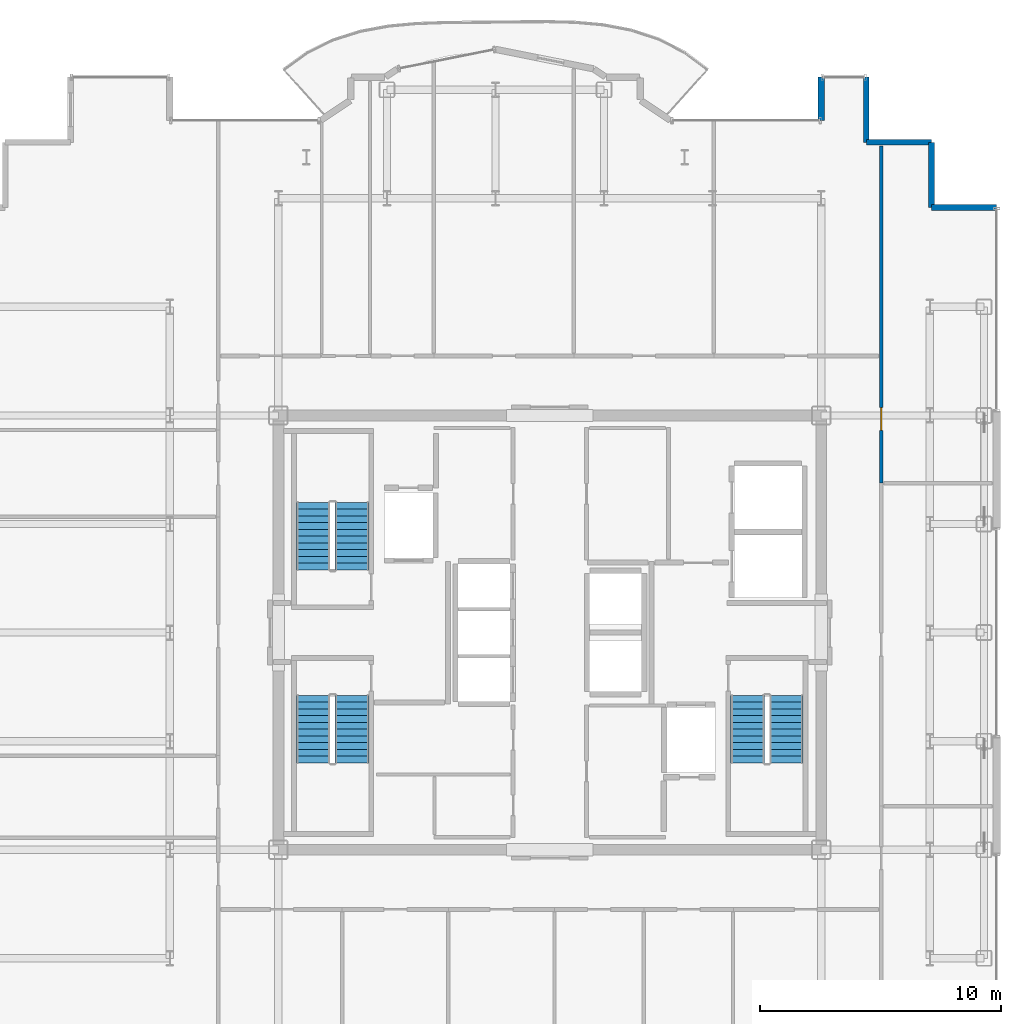
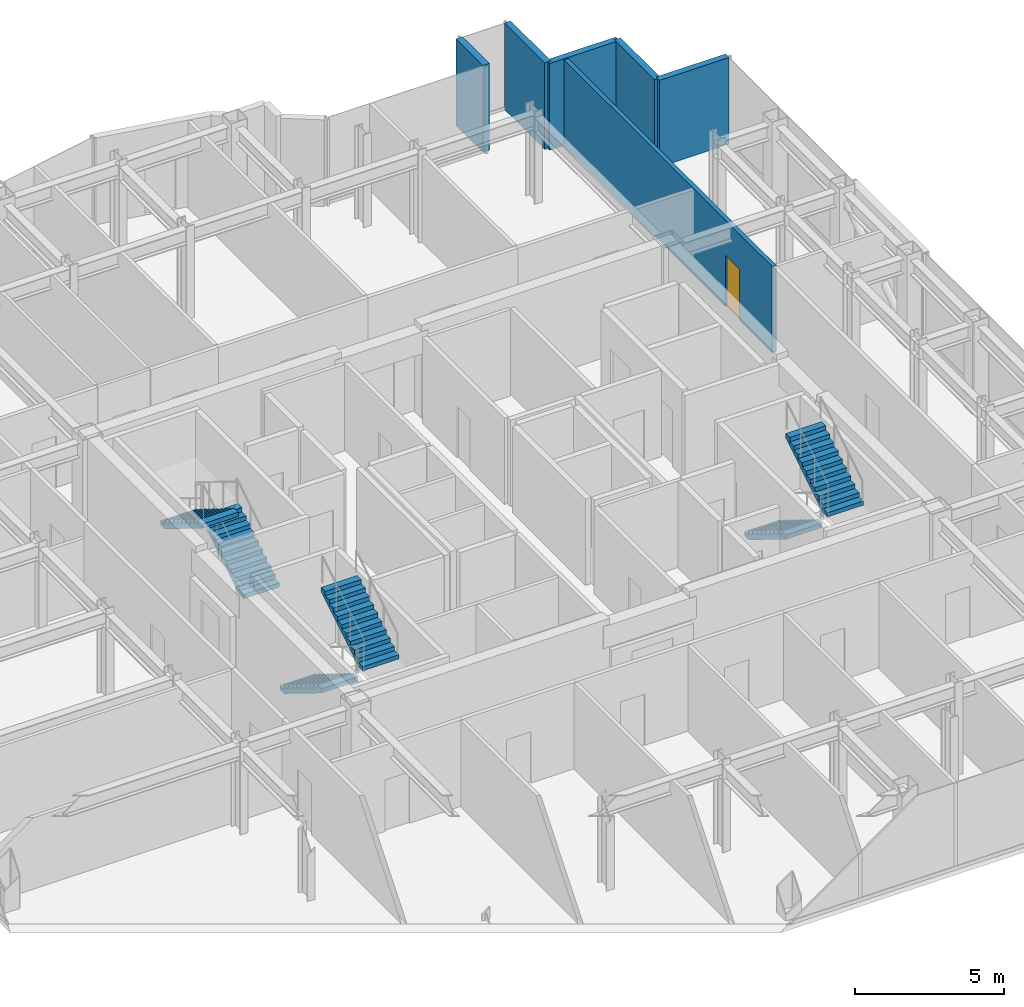
# One storey, part 15 of 16: 6 stair flights, 6 walls, 1 door, 1 opening, 3 elements without a shape of their own.
"""IFC4 building model written with IfcOpenShell, lengths in metres."""

from ifc_helpers import new_model, si_unit, direction, frame, frame_2d, origin, place, context, subcontext, project, spatial, polyline, rectangle, outline, extrude, source, transform, mapped, material, layer, layer_set, type_object, element, fill, aggregate, save


model = new_model("IFC4")

# Units and contexts
model_context = context("Model", 3, precision=1e-05, world=origin(), true_north=direction((0.0, 1.0)))
body_context = subcontext(model_context, "Body", "Model", "MODEL_VIEW")
ifc_project = project(units=[si_unit("LENGTHUNIT", "METRE"), si_unit("AREAUNIT", "SQUARE_METRE"), si_unit("VOLUMEUNIT", "CUBIC_METRE"), si_unit("PLANEANGLEUNIT", "RADIAN"), si_unit("MASSUNIT", "GRAM", prefix="KILO")], contexts=[model_context])

# Site, building, storey
site_placement = place(None, origin())
site = spatial("IfcSite", under=ifc_project, at=site_placement, CompositionType="ELEMENT")
building_placement = place(site_placement, origin())
building = spatial("IfcBuilding", under=site, at=building_placement, Name="Nefas-Gora Pilgrimage Tower", CompositionType="ELEMENT")
storey_placement = place(building_placement, frame((0.0, 0.0, 276.0)))
storey = spatial("IfcBuildingStorey", under=building, at=storey_placement, Name="L69", CompositionType="ELEMENT", Elevation=276.0)

# Walls
ifc_material_1 = material(Name="Precast concrete C40/50", Category="concrete")
ifc_layer_1 = layer(ifc_material_1, 0.260009765625)
ifc_layer_set_1 = layer_set([ifc_layer_1], Name="Precast concrete C40/50")
wall_type_1 = type_object("IfcWallType", Name="EW-PORTAL-260", PredefinedType="SOLIDWALL", material=ifc_layer_set_1)
shared_shape_1 = source(origin(), body_context, "Body", "SweptSolid", [
    extrude(rectangle(XDim=1.800048828125, YDim=0.260009765625, at=frame_2d((0.89990234375, 0.0))), origin(), (0.0, 0.0, 1.0), 3.550048828125),
])
wall_1_placement = place(storey_placement, frame((11.25, 23.02001953125, 0.0), z_axis=(0.0, 0.0, 1.0), x_axis=(0.0, -1.0, 0.0)))
element("IfcWall", 1, at=wall_1_placement, inside=storey, type_object=wall_type_1, Name="L69 Lobe Shoulder Precast Spandrel Pier 10", PredefinedType="SOLIDWALL", context=body_context, shape_type="MappedRepresentation", body=[
    mapped(shared_shape_1, transform((0.0, 0.0, 0.0), x_axis=(1.0, 0.0, 0.0), y_axis=(0.0, 1.0, 0.0), z_axis=(0.0, 0.0, 1.0), scale=1.0)),
])
ifc_material_2 = material(Name="Precast concrete C45/55", Category="concrete")
ifc_layer_2 = layer(ifc_material_2, 0.239990234375)
ifc_layer_set_2 = layer_set([ifc_layer_2], Name="Precast concrete C45/55")
wall_type_2 = type_object("IfcWallType", Name="EW-SERR-240", PredefinedType="SHEAR", material=ifc_layer_set_2)
shared_shape_2 = source(origin(), body_context, "Body", "SweptSolid", [
    extrude(rectangle(XDim=2.699951171875, YDim=0.239990234375, at=frame_2d((1.35009765625, 0.0))), origin(), (0.0, 0.0, 1.0), 3.550048828125),
])
for number, where, z_axis, x_axis, name in (
    (2, (18.52001953125, 17.6201171875, 0.0), (0.0, 0.0, 1.0), (-1.0, 0.0, 0.0), "L69 Serrated Corner Shear Pier Wall 6"),
    (3, (15.820068359375, 17.6201171875, 0.0), (0.0, 0.0, 1.0), (0.0, 1.0, 0.0), "L69 Serrated Corner Shear Pier Wall 7"),
    (4, (15.820068359375, 20.320068359375, 0.0), (0.0, 0.0, 1.0), (-1.0, 0.0, 0.0), "L69 Serrated Corner Shear Pier Wall 8"),
    (5, (13.1201171875, 20.320068359375, 0.0), (0.0, 0.0, 1.0), (0.0, 1.0, 0.0), "L69 Serrated Corner Shear Pier Wall 9"),
):
    element("IfcWall", number, at=place(storey_placement, frame(where, z_axis=z_axis, x_axis=x_axis)), inside=storey, type_object=wall_type_2, Name=name, PredefinedType="SHEAR", context=body_context, shape_type="MappedRepresentation", body=[
        mapped(shared_shape_2, transform((0.0, 0.0, 0.0), x_axis=(1.0, 0.0, 0.0), y_axis=(0.0, 1.0, 0.0), z_axis=(0.0, 0.0, 1.0), scale=1.0)),
    ])

# Wall, opening, door
ifc_material_3 = material(Name="Gypsum acoustic stud partition")
ifc_layer_3 = layer(ifc_material_3, 0.159912109375)
ifc_layer_set_3 = layer_set([ifc_layer_3], Name="Gypsum acoustic stud partition")
wall_type_3 = type_object("IfcWallType", Name="IW-CORR-160", PredefinedType="PARTITIONING", material=ifc_layer_set_3)
shared_shape_3 = source(origin(), body_context, "Body", "SweptSolid", [
    extrude(rectangle(XDim=13.96484375, YDim=0.159912109375, at=frame_2d((6.982421875, 0.0))), origin(), (0.0, 0.0, 1.0), 3.534912109375),
])
wall_2_placement = place(storey_placement, frame((13.739990234375, 6.195068359375, 0.0), z_axis=(0.0, 0.0, 1.0), x_axis=(0.0, 1.0, 0.0)))
wall_2 = element("IfcWall", 6, at=wall_2_placement, inside=storey, type_object=wall_type_3, Name="L69 Pilgrim Contemplative Lounge Partition Wall 46", PredefinedType="PARTITIONING", context=body_context, shape_type="MappedRepresentation", body=[
    mapped(shared_shape_3, transform((0.0, 0.0, 0.0), x_axis=(1.0, 0.0, 0.0), y_axis=(0.0, 1.0, 0.0), z_axis=(0.0, 0.0, 1.0), scale=1.0)),
])
opening_placement = place(wall_2_placement, frame((2.1826171875, 0.0, 0.0)))
opening = element("IfcOpeningElement", 7, at=opening_placement, cuts=wall_2, Name="Opening ID-GR1", PredefinedType="OPENING", context=body_context, shape_type="SweptSolid", body=[
    extrude(rectangle(XDim=0.949951171875, YDim=2.10009765625, at=frame_2d((0.47509765625, 1.050048828125))), frame((0.0, 0.08984375, 0.0), z_axis=(0.0, -1.0, 0.0), x_axis=(1.0, 0.0, 0.0)), (0.0, 0.0, 1.0), 0.179931640625),
])
ifc_material_4 = material(Name="Solid core oak fire-rated guest entrance door")
door_type = type_object("IfcDoorType", Name="DR-INT-GUEST-950", OperationType="NOTDEFINED", PredefinedType="DOOR", material=ifc_material_4)
shared_shape_4 = source(origin(), body_context, "Body", "SweptSolid", [
    extrude(rectangle(XDim=0.949951171875, YDim=2.10009765625, at=frame_2d((0.47509765625, 1.050048828125))), frame((0.0, 0.02490234375, 0.0), z_axis=(0.0, -1.0, 0.0), x_axis=(1.0, 0.0, 0.0)), (0.0, 0.0, 1.0), 0.050048828125),
])
door_placement = place(opening_placement, origin())
door = element("IfcDoor", 8, at=door_placement, inside=storey, type_object=door_type, Name="L69 Pilgrim Contemplative Lounge Door 21", OperationType="SINGLE_SWING_LEFT", OverallHeight=2.10009765625, OverallWidth=0.949951171875, PredefinedType="DOOR", context=body_context, shape_type="MappedRepresentation", body=[
    mapped(shared_shape_4, transform((0.0, 0.0, 0.0), x_axis=(1.0, 0.0, 0.0), y_axis=(0.0, 1.0, 0.0), z_axis=(0.0, 0.0, 1.0), scale=1.0)),
])
fill(opening, door)

# Stair, stair flights
ifc_material_5 = material(Name="Concrete C45/55", Category="concrete")
stair_type = type_object("IfcStairType", Name="STR-1400-R1727", PredefinedType="HALF_TURN_STAIR", material=ifc_material_5)
stair_1_placement = place(storey_placement, origin())
stair_1 = element("IfcStair", 9, at=stair_1_placement, inside=storey, type_object=stair_type, Name="L69 Pressurised Tower Exit Stair ST-01", PredefinedType="HALF_TURN_STAIR")
stair_flight_type = type_object("IfcStairFlightType", Name="STF-1400-R1727", PredefinedType="STRAIGHT", material=ifc_material_5)
shared_shape_5 = source(origin(), body_context, "Body", "SweptSolid", [
    extrude(outline(polyline([(0.0, 0.0), (0.0, 0.172607421875), (0.280029296875, 0.172607421875), (0.280029296875, 0.345458984375), (0.56005859375, 0.345458984375), (0.56005859375, 0.51806640625), (0.840087890625, 0.51806640625), (0.840087890625, 0.69091796875), (1.1201171875, 0.69091796875), (1.1201171875, 0.863525390625), (1.39990234375, 0.863525390625), (1.39990234375, 1.036376953125), (1.679931640625, 1.036376953125), (1.679931640625, 1.208984375), (1.9599609375, 1.208984375), (1.9599609375, 1.3818359375), (2.239990234375, 1.3818359375), (2.239990234375, 1.554443359375), (2.52001953125, 1.554443359375), (2.52001953125, 1.727294921875), (2.800048828125, 1.727294921875), (2.800048828125, 1.89990234375), (2.800048828125, 1.551025390625), (0.285400390625, 0.0), (0.0, 0.0)])), frame((0.0, 0.699951171875, 0.0), z_axis=(0.0, -1.0, 0.0), x_axis=(1.0, 0.0, 0.0)), (0.0, 0.0, 1.0), 1.39990234375),
])
stair_flight_1_placement = place(storey_placement, frame((-8.199951171875, 2.60009765625, 0.0), z_axis=(0.0, 0.0, 1.0), x_axis=(0.0, 1.0, 0.0)))
stair_flight_1 = element("IfcStairFlight", 10, at=stair_flight_1_placement, type_object=stair_flight_type, Name="ST-01 flight 1", NumberOfRisers=11, NumberOfTreads=10, PredefinedType="STRAIGHT", RiserHeight=0.172727273, TreadLength=0.28, context=body_context, shape_type="MappedRepresentation", body=[
    mapped(shared_shape_5, transform((0.0, 0.0, 0.0), x_axis=(1.0, 0.0, 0.0), y_axis=(0.0, 1.0, 0.0), z_axis=(0.0, 0.0, 1.0), scale=1.0)),
])
stair_flight_2_placement = place(storey_placement, frame((-9.800048828125, 5.39990234375, 1.89990234375), z_axis=(0.0, 0.0, 1.0), x_axis=(0.0, -1.0, 0.0)))
stair_flight_2 = element("IfcStairFlight", 11, at=stair_flight_2_placement, type_object=stair_flight_type, Name="ST-01 flight 2", NumberOfRisers=11, NumberOfTreads=10, PredefinedType="STRAIGHT", RiserHeight=0.172727273, TreadLength=0.28, context=body_context, shape_type="MappedRepresentation", body=[
    mapped(shared_shape_5, transform((0.0, 0.0, 0.0), x_axis=(1.0, 0.0, 0.0), y_axis=(0.0, 1.0, 0.0), z_axis=(0.0, 0.0, 1.0), scale=1.0)),
])
aggregate(stair_1, [stair_flight_1, stair_flight_2])

stair_2_placement = place(storey_placement, origin())
stair_2 = element("IfcStair", 12, at=stair_2_placement, inside=storey, type_object=stair_type, Name="L69 Pressurised Tower Exit Stair ST-02", PredefinedType="HALF_TURN_STAIR")
stair_flight_3_placement = place(storey_placement, frame((8.199951171875, -2.60009765625, 0.0), z_axis=(0.0, 0.0, 1.0), x_axis=(0.0, -1.0, 0.0)))
stair_flight_3 = element("IfcStairFlight", 13, at=stair_flight_3_placement, type_object=stair_flight_type, Name="ST-02 flight 1", NumberOfRisers=11, NumberOfTreads=10, PredefinedType="STRAIGHT", RiserHeight=0.172727273, TreadLength=0.28, context=body_context, shape_type="MappedRepresentation", body=[
    mapped(shared_shape_5, transform((0.0, 0.0, 0.0), x_axis=(1.0, 0.0, 0.0), y_axis=(0.0, 1.0, 0.0), z_axis=(0.0, 0.0, 1.0), scale=1.0)),
])
stair_flight_4_placement = place(storey_placement, frame((9.800048828125, -5.39990234375, 1.89990234375), z_axis=(0.0, 0.0, 1.0), x_axis=(0.0, 1.0, 0.0)))
stair_flight_4 = element("IfcStairFlight", 14, at=stair_flight_4_placement, type_object=stair_flight_type, Name="ST-02 flight 2", NumberOfRisers=11, NumberOfTreads=10, PredefinedType="STRAIGHT", RiserHeight=0.172727273, TreadLength=0.28, context=body_context, shape_type="MappedRepresentation", body=[
    mapped(shared_shape_5, transform((0.0, 0.0, 0.0), x_axis=(1.0, 0.0, 0.0), y_axis=(0.0, 1.0, 0.0), z_axis=(0.0, 0.0, 1.0), scale=1.0)),
])
aggregate(stair_2, [stair_flight_3, stair_flight_4])

stair_3_placement = place(storey_placement, origin())
stair_3 = element("IfcStair", 15, at=stair_3_placement, inside=storey, type_object=stair_type, Name="L69 Pressurised Tower Exit Stair ST-03", PredefinedType="HALF_TURN_STAIR")
stair_flight_5_placement = place(storey_placement, frame((-9.800048828125, -2.60009765625, 0.0), z_axis=(0.0, 0.0, 1.0), x_axis=(0.0, -1.0, 0.0)))
stair_flight_5 = element("IfcStairFlight", 16, at=stair_flight_5_placement, type_object=stair_flight_type, Name="ST-03 flight 1", NumberOfRisers=11, NumberOfTreads=10, PredefinedType="STRAIGHT", RiserHeight=0.172727273, TreadLength=0.28, context=body_context, shape_type="MappedRepresentation", body=[
    mapped(shared_shape_5, transform((0.0, 0.0, 0.0), x_axis=(1.0, 0.0, 0.0), y_axis=(0.0, 1.0, 0.0), z_axis=(0.0, 0.0, 1.0), scale=1.0)),
])
stair_flight_6_placement = place(storey_placement, frame((-8.199951171875, -5.39990234375, 1.89990234375), z_axis=(0.0, 0.0, 1.0), x_axis=(0.0, 1.0, 0.0)))
stair_flight_6 = element("IfcStairFlight", 17, at=stair_flight_6_placement, type_object=stair_flight_type, Name="ST-03 flight 2", NumberOfRisers=11, NumberOfTreads=10, PredefinedType="STRAIGHT", RiserHeight=0.172727273, TreadLength=0.28, context=body_context, shape_type="MappedRepresentation", body=[
    mapped(shared_shape_5, transform((0.0, 0.0, 0.0), x_axis=(1.0, 0.0, 0.0), y_axis=(0.0, 1.0, 0.0), z_axis=(0.0, 0.0, 1.0), scale=1.0)),
])
aggregate(stair_3, [stair_flight_5, stair_flight_6])

save(model, "model.ifc")
